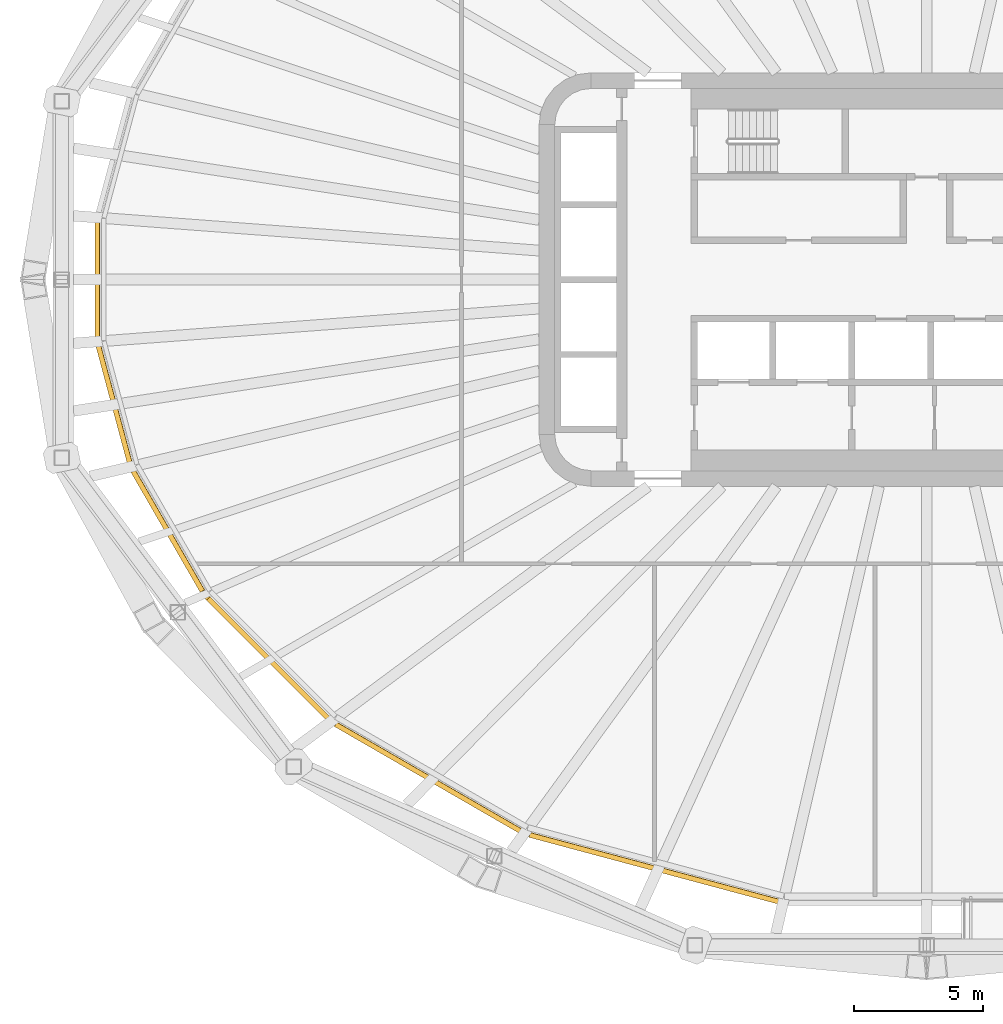
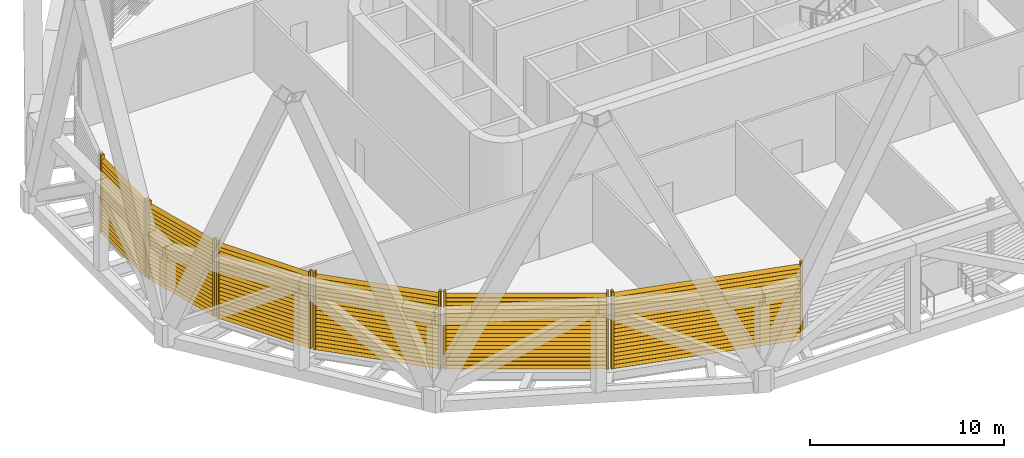
# One storey, part 12 of 18: 6 shading devices.
"""IFC4 building model written with IfcOpenShell, lengths in metres."""

from ifc_helpers import new_model, si_unit, direction, frame, origin, origin_2d, place, context, subcontext, project, spatial, rectangle, extrude, material, type_object, element, save


model = new_model("IFC4")

# Units and contexts
model_context = context("Model", 3, precision=1e-05, world=origin(), true_north=direction((0.0, 1.0)))
body_context = subcontext(model_context, "Body", "Model", "MODEL_VIEW")
ifc_project = project(units=[si_unit("LENGTHUNIT", "METRE"), si_unit("AREAUNIT", "SQUARE_METRE"), si_unit("VOLUMEUNIT", "CUBIC_METRE"), si_unit("PLANEANGLEUNIT", "RADIAN"), si_unit("MASSUNIT", "GRAM", prefix="KILO")], contexts=[model_context])

# Site, building, storey
site_placement = place(None, origin())
site = spatial("IfcSite", under=ifc_project, at=site_placement, CompositionType="ELEMENT")
building_placement = place(site_placement, origin())
building = spatial("IfcBuilding", under=site, at=building_placement, Name="Sahrelin Media Tower", CompositionType="ELEMENT")
storey_placement = place(building_placement, frame((0.0, 0.0, 96.60009765625)))
storey = spatial("IfcBuildingStorey", under=building, at=storey_placement, Name="L18", CompositionType="ELEMENT", Elevation=96.60009765625)

# Shading devices
ifc_material = material(Name="Champagne anodised aluminium 6063-T6", Category="aluminium")
shading_device_type = type_object("IfcShadingDeviceType", Name="Sand-rejection louvre band", PredefinedType="USERDEFINED", material=ifc_material)
shading_device_1_placement = place(storey_placement, frame((-31.994873046875, 0.0, 0.0), z_axis=(0.0, 0.0, 1.0), x_axis=(0.0, 1.0, 0.0)))
element("IfcShadingDevice", 1, at=shading_device_1_placement, inside=storey, type_object=shading_device_type, Name="L18:LOUVRE:L18-12", ObjectType="LOUVRE", PredefinedType="USERDEFINED", context=body_context, shape_type="SweptSolid", body=[
    extrude(rectangle(XDim=0.1201171875, YDim=0.199951171875, at=origin_2d()), frame((2.28125, 0.10009765625, 0.050048828125), z_axis=(0.0, 0.0, 1.0), x_axis=(1.0, 0.0, 0.0)), (0.0, 0.0, 1.0), 4.8984375),
    extrude(rectangle(XDim=0.1201171875, YDim=0.199951171875, at=origin_2d()), frame((-2.28125, 0.10009765625, 0.050048828125), z_axis=(0.0, 0.0, 1.0), x_axis=(1.0, 0.0, 0.0)), (0.0, 0.0, 1.0), 4.8984375),
    extrude(rectangle(XDim=0.25, YDim=0.02001953125, at=origin_2d()), frame((2.22119140625, 0.10009765625, 0.14990234375), z_axis=(-1.0, 0.0, 0.0), x_axis=(0.0, -0.766044443119, 0.642787609687)), (0.0, 0.0, 1.0), 4.4423828125),
    extrude(rectangle(XDim=0.25, YDim=0.02001953125, at=origin_2d()), frame((2.22119140625, 0.10009765625, 0.39990234375), z_axis=(-1.0, 0.0, 0.0), x_axis=(0.0, -0.766044443119, 0.642787609687)), (0.0, 0.0, 1.0), 4.4423828125),
    extrude(rectangle(XDim=0.25, YDim=0.02001953125, at=origin_2d()), frame((2.22119140625, 0.10009765625, 0.64990234375), z_axis=(-1.0, 0.0, 0.0), x_axis=(0.0, -0.766044443119, 0.642787609687)), (0.0, 0.0, 1.0), 4.4423828125),
    extrude(rectangle(XDim=0.25, YDim=0.02001953125, at=origin_2d()), frame((2.22119140625, 0.10009765625, 0.89990234375), z_axis=(-1.0, 0.0, 0.0), x_axis=(0.0, -0.766044443119, 0.642787609687)), (0.0, 0.0, 1.0), 4.4423828125),
    extrude(rectangle(XDim=0.25, YDim=0.02001953125, at=origin_2d()), frame((2.22119140625, 0.10009765625, 1.14990234375), z_axis=(-1.0, 0.0, 0.0), x_axis=(0.0, -0.766044443119, 0.642787609687)), (0.0, 0.0, 1.0), 4.4423828125),
    extrude(rectangle(XDim=0.25, YDim=0.02001953125, at=origin_2d()), frame((2.22119140625, 0.10009765625, 1.39990234375), z_axis=(-1.0, 0.0, 0.0), x_axis=(0.0, -0.766044443119, 0.642787609687)), (0.0, 0.0, 1.0), 4.4423828125),
    extrude(rectangle(XDim=0.25, YDim=0.02001953125, at=origin_2d()), frame((2.22119140625, 0.10009765625, 1.64990234375), z_axis=(-1.0, 0.0, 0.0), x_axis=(0.0, -0.766044443119, 0.642787609687)), (0.0, 0.0, 1.0), 4.4423828125),
    extrude(rectangle(XDim=0.25, YDim=0.02001953125, at=origin_2d()), frame((2.22119140625, 0.10009765625, 1.89990234375), z_axis=(-1.0, 0.0, 0.0), x_axis=(0.0, -0.766044443119, 0.642787609687)), (0.0, 0.0, 1.0), 4.4423828125),
    extrude(rectangle(XDim=0.25, YDim=0.02001953125, at=origin_2d()), frame((2.22119140625, 0.10009765625, 2.14990234375), z_axis=(-1.0, 0.0, 0.0), x_axis=(0.0, -0.766044443119, 0.642787609687)), (0.0, 0.0, 1.0), 4.4423828125),
    extrude(rectangle(XDim=0.25, YDim=0.02001953125, at=origin_2d()), frame((2.22119140625, 0.10009765625, 2.39990234375), z_axis=(-1.0, 0.0, 0.0), x_axis=(0.0, -0.766044443119, 0.642787609687)), (0.0, 0.0, 1.0), 4.4423828125),
    extrude(rectangle(XDim=0.25, YDim=0.02001953125, at=origin_2d()), frame((2.22119140625, 0.10009765625, 2.64990234375), z_axis=(-1.0, 0.0, 0.0), x_axis=(0.0, -0.766044443119, 0.642787609687)), (0.0, 0.0, 1.0), 4.4423828125),
    extrude(rectangle(XDim=0.25, YDim=0.02001953125, at=origin_2d()), frame((2.22119140625, 0.10009765625, 2.89990234375), z_axis=(-1.0, 0.0, 0.0), x_axis=(0.0, -0.766044443119, 0.642787609687)), (0.0, 0.0, 1.0), 4.4423828125),
    extrude(rectangle(XDim=0.25, YDim=0.02001953125, at=origin_2d()), frame((2.22119140625, 0.10009765625, 3.14990234375), z_axis=(-1.0, 0.0, 0.0), x_axis=(0.0, -0.766044443119, 0.642787609687)), (0.0, 0.0, 1.0), 4.4423828125),
    extrude(rectangle(XDim=0.25, YDim=0.02001953125, at=origin_2d()), frame((2.22119140625, 0.10009765625, 3.39990234375), z_axis=(-1.0, 0.0, 0.0), x_axis=(0.0, -0.766044443119, 0.642787609687)), (0.0, 0.0, 1.0), 4.4423828125),
    extrude(rectangle(XDim=0.25, YDim=0.02001953125, at=origin_2d()), frame((2.22119140625, 0.10009765625, 3.64990234375), z_axis=(-1.0, 0.0, 0.0), x_axis=(0.0, -0.766044443119, 0.642787609687)), (0.0, 0.0, 1.0), 4.4423828125),
    extrude(rectangle(XDim=0.25, YDim=0.02001953125, at=origin_2d()), frame((2.22119140625, 0.10009765625, 3.89990234375), z_axis=(-1.0, 0.0, 0.0), x_axis=(0.0, -0.766044443119, 0.642787609687)), (0.0, 0.0, 1.0), 4.4423828125),
    extrude(rectangle(XDim=0.25, YDim=0.02001953125, at=origin_2d()), frame((2.22119140625, 0.10009765625, 4.14990234375), z_axis=(-1.0, 0.0, 0.0), x_axis=(0.0, -0.766044443119, 0.642787609687)), (0.0, 0.0, 1.0), 4.4423828125),
    extrude(rectangle(XDim=0.25, YDim=0.02001953125, at=origin_2d()), frame((2.22119140625, 0.10009765625, 4.39990234375), z_axis=(-1.0, 0.0, 0.0), x_axis=(0.0, -0.766044443119, 0.642787609687)), (0.0, 0.0, 1.0), 4.4423828125),
    extrude(rectangle(XDim=0.25, YDim=0.02001953125, at=origin_2d()), frame((2.22119140625, 0.10009765625, 4.64990234375), z_axis=(-1.0, 0.0, 0.0), x_axis=(0.0, -0.766044443119, 0.642787609687)), (0.0, 0.0, 1.0), 4.4423828125),
])
shading_device_2_placement = place(storey_placement, frame((-31.34765625, -4.806884765625, 0.0), z_axis=(0.0, 0.0, 1.0), x_axis=(-0.258807731996, 0.965928857556, 0.0)))
element("IfcShadingDevice", 2, at=shading_device_2_placement, inside=storey, type_object=shading_device_type, Name="L18:LOUVRE:L18-13", ObjectType="LOUVRE", PredefinedType="USERDEFINED", context=body_context, shape_type="SweptSolid", body=[
    extrude(rectangle(XDim=0.1201171875, YDim=0.199951171875, at=origin_2d()), frame((2.390625, 0.10009765625, 0.050048828125), z_axis=(0.0, 0.0, 1.0), x_axis=(1.0, 0.0, 0.0)), (0.0, 0.0, 1.0), 4.8984375),
    extrude(rectangle(XDim=0.1201171875, YDim=0.199951171875, at=origin_2d()), frame((-2.390625, 0.10009765625, 0.050048828125), z_axis=(0.0, 0.0, 1.0), x_axis=(1.0, 0.0, 0.0)), (0.0, 0.0, 1.0), 4.8984375),
    extrude(rectangle(XDim=0.25, YDim=0.02001953125, at=origin_2d()), frame((2.330810546875, 0.10009765625, 0.14990234375), z_axis=(-1.0, 0.0, 0.0), x_axis=(0.0, -0.766044443119, 0.642787609687)), (0.0, 0.0, 1.0), 4.66162109375),
    extrude(rectangle(XDim=0.25, YDim=0.02001953125, at=origin_2d()), frame((2.330810546875, 0.10009765625, 0.39990234375), z_axis=(-1.0, 0.0, 0.0), x_axis=(0.0, -0.766044443119, 0.642787609687)), (0.0, 0.0, 1.0), 4.66162109375),
    extrude(rectangle(XDim=0.25, YDim=0.02001953125, at=origin_2d()), frame((2.330810546875, 0.10009765625, 0.64990234375), z_axis=(-1.0, 0.0, 0.0), x_axis=(0.0, -0.766044443119, 0.642787609687)), (0.0, 0.0, 1.0), 4.66162109375),
    extrude(rectangle(XDim=0.25, YDim=0.02001953125, at=origin_2d()), frame((2.330810546875, 0.10009765625, 0.89990234375), z_axis=(-1.0, 0.0, 0.0), x_axis=(0.0, -0.766044443119, 0.642787609687)), (0.0, 0.0, 1.0), 4.66162109375),
    extrude(rectangle(XDim=0.25, YDim=0.02001953125, at=origin_2d()), frame((2.330810546875, 0.10009765625, 1.14990234375), z_axis=(-1.0, 0.0, 0.0), x_axis=(0.0, -0.766044443119, 0.642787609687)), (0.0, 0.0, 1.0), 4.66162109375),
    extrude(rectangle(XDim=0.25, YDim=0.02001953125, at=origin_2d()), frame((2.330810546875, 0.10009765625, 1.39990234375), z_axis=(-1.0, 0.0, 0.0), x_axis=(0.0, -0.766044443119, 0.642787609687)), (0.0, 0.0, 1.0), 4.66162109375),
    extrude(rectangle(XDim=0.25, YDim=0.02001953125, at=origin_2d()), frame((2.330810546875, 0.10009765625, 1.64990234375), z_axis=(-1.0, 0.0, 0.0), x_axis=(0.0, -0.766044443119, 0.642787609687)), (0.0, 0.0, 1.0), 4.66162109375),
    extrude(rectangle(XDim=0.25, YDim=0.02001953125, at=origin_2d()), frame((2.330810546875, 0.10009765625, 1.89990234375), z_axis=(-1.0, 0.0, 0.0), x_axis=(0.0, -0.766044443119, 0.642787609687)), (0.0, 0.0, 1.0), 4.66162109375),
    extrude(rectangle(XDim=0.25, YDim=0.02001953125, at=origin_2d()), frame((2.330810546875, 0.10009765625, 2.14990234375), z_axis=(-1.0, 0.0, 0.0), x_axis=(0.0, -0.766044443119, 0.642787609687)), (0.0, 0.0, 1.0), 4.66162109375),
    extrude(rectangle(XDim=0.25, YDim=0.02001953125, at=origin_2d()), frame((2.330810546875, 0.10009765625, 2.39990234375), z_axis=(-1.0, 0.0, 0.0), x_axis=(0.0, -0.766044443119, 0.642787609687)), (0.0, 0.0, 1.0), 4.66162109375),
    extrude(rectangle(XDim=0.25, YDim=0.02001953125, at=origin_2d()), frame((2.330810546875, 0.10009765625, 2.64990234375), z_axis=(-1.0, 0.0, 0.0), x_axis=(0.0, -0.766044443119, 0.642787609687)), (0.0, 0.0, 1.0), 4.66162109375),
    extrude(rectangle(XDim=0.25, YDim=0.02001953125, at=origin_2d()), frame((2.330810546875, 0.10009765625, 2.89990234375), z_axis=(-1.0, 0.0, 0.0), x_axis=(0.0, -0.766044443119, 0.642787609687)), (0.0, 0.0, 1.0), 4.66162109375),
    extrude(rectangle(XDim=0.25, YDim=0.02001953125, at=origin_2d()), frame((2.330810546875, 0.10009765625, 3.14990234375), z_axis=(-1.0, 0.0, 0.0), x_axis=(0.0, -0.766044443119, 0.642787609687)), (0.0, 0.0, 1.0), 4.66162109375),
    extrude(rectangle(XDim=0.25, YDim=0.02001953125, at=origin_2d()), frame((2.330810546875, 0.10009765625, 3.39990234375), z_axis=(-1.0, 0.0, 0.0), x_axis=(0.0, -0.766044443119, 0.642787609687)), (0.0, 0.0, 1.0), 4.66162109375),
    extrude(rectangle(XDim=0.25, YDim=0.02001953125, at=origin_2d()), frame((2.330810546875, 0.10009765625, 3.64990234375), z_axis=(-1.0, 0.0, 0.0), x_axis=(0.0, -0.766044443119, 0.642787609687)), (0.0, 0.0, 1.0), 4.66162109375),
    extrude(rectangle(XDim=0.25, YDim=0.02001953125, at=origin_2d()), frame((2.330810546875, 0.10009765625, 3.89990234375), z_axis=(-1.0, 0.0, 0.0), x_axis=(0.0, -0.766044443119, 0.642787609687)), (0.0, 0.0, 1.0), 4.66162109375),
    extrude(rectangle(XDim=0.25, YDim=0.02001953125, at=origin_2d()), frame((2.330810546875, 0.10009765625, 4.14990234375), z_axis=(-1.0, 0.0, 0.0), x_axis=(0.0, -0.766044443119, 0.642787609687)), (0.0, 0.0, 1.0), 4.66162109375),
    extrude(rectangle(XDim=0.25, YDim=0.02001953125, at=origin_2d()), frame((2.330810546875, 0.10009765625, 4.39990234375), z_axis=(-1.0, 0.0, 0.0), x_axis=(0.0, -0.766044443119, 0.642787609687)), (0.0, 0.0, 1.0), 4.66162109375),
    extrude(rectangle(XDim=0.25, YDim=0.02001953125, at=origin_2d()), frame((2.330810546875, 0.10009765625, 4.64990234375), z_axis=(-1.0, 0.0, 0.0), x_axis=(0.0, -0.766044443119, 0.642787609687)), (0.0, 0.0, 1.0), 4.66162109375),
])
shading_device_3_placement = place(storey_placement, frame((-29.27783203125, -9.686279296875, 0.0), z_axis=(0.0, 0.0, 1.0), x_axis=(-0.500011000363, 0.866019052629, 0.0)))
element("IfcShadingDevice", 3, at=shading_device_3_placement, inside=storey, type_object=shading_device_type, Name="L18:LOUVRE:L18-14", ObjectType="LOUVRE", PredefinedType="USERDEFINED", context=body_context, shape_type="SweptSolid", body=[
    extrude(rectangle(XDim=0.1201171875, YDim=0.199951171875, at=origin_2d()), frame((2.7353515625, 0.10009765625, 0.050048828125), z_axis=(0.0, 0.0, 1.0), x_axis=(1.0, 0.0, 0.0)), (0.0, 0.0, 1.0), 4.8984375),
    extrude(rectangle(XDim=0.1201171875, YDim=0.199951171875, at=origin_2d()), frame((-2.7353515625, 0.10009765625, 0.050048828125), z_axis=(0.0, 0.0, 1.0), x_axis=(1.0, 0.0, 0.0)), (0.0, 0.0, 1.0), 4.8984375),
    extrude(rectangle(XDim=0.25, YDim=0.02001953125, at=origin_2d()), frame((2.67529296875, 0.10009765625, 0.14990234375), z_axis=(-1.0, 0.0, 0.0), x_axis=(0.0, -0.766044443119, 0.642787609687)), (0.0, 0.0, 1.0), 5.3505859375),
    extrude(rectangle(XDim=0.25, YDim=0.02001953125, at=origin_2d()), frame((2.67529296875, 0.10009765625, 0.39990234375), z_axis=(-1.0, 0.0, 0.0), x_axis=(0.0, -0.766044443119, 0.642787609687)), (0.0, 0.0, 1.0), 5.3505859375),
    extrude(rectangle(XDim=0.25, YDim=0.02001953125, at=origin_2d()), frame((2.67529296875, 0.10009765625, 0.64990234375), z_axis=(-1.0, 0.0, 0.0), x_axis=(0.0, -0.766044443119, 0.642787609687)), (0.0, 0.0, 1.0), 5.3505859375),
    extrude(rectangle(XDim=0.25, YDim=0.02001953125, at=origin_2d()), frame((2.67529296875, 0.10009765625, 0.89990234375), z_axis=(-1.0, 0.0, 0.0), x_axis=(0.0, -0.766044443119, 0.642787609687)), (0.0, 0.0, 1.0), 5.3505859375),
    extrude(rectangle(XDim=0.25, YDim=0.02001953125, at=origin_2d()), frame((2.67529296875, 0.10009765625, 1.14990234375), z_axis=(-1.0, 0.0, 0.0), x_axis=(0.0, -0.766044443119, 0.642787609687)), (0.0, 0.0, 1.0), 5.3505859375),
    extrude(rectangle(XDim=0.25, YDim=0.02001953125, at=origin_2d()), frame((2.67529296875, 0.10009765625, 1.39990234375), z_axis=(-1.0, 0.0, 0.0), x_axis=(0.0, -0.766044443119, 0.642787609687)), (0.0, 0.0, 1.0), 5.3505859375),
    extrude(rectangle(XDim=0.25, YDim=0.02001953125, at=origin_2d()), frame((2.67529296875, 0.10009765625, 1.64990234375), z_axis=(-1.0, 0.0, 0.0), x_axis=(0.0, -0.766044443119, 0.642787609687)), (0.0, 0.0, 1.0), 5.3505859375),
    extrude(rectangle(XDim=0.25, YDim=0.02001953125, at=origin_2d()), frame((2.67529296875, 0.10009765625, 1.89990234375), z_axis=(-1.0, 0.0, 0.0), x_axis=(0.0, -0.766044443119, 0.642787609687)), (0.0, 0.0, 1.0), 5.3505859375),
    extrude(rectangle(XDim=0.25, YDim=0.02001953125, at=origin_2d()), frame((2.67529296875, 0.10009765625, 2.14990234375), z_axis=(-1.0, 0.0, 0.0), x_axis=(0.0, -0.766044443119, 0.642787609687)), (0.0, 0.0, 1.0), 5.3505859375),
    extrude(rectangle(XDim=0.25, YDim=0.02001953125, at=origin_2d()), frame((2.67529296875, 0.10009765625, 2.39990234375), z_axis=(-1.0, 0.0, 0.0), x_axis=(0.0, -0.766044443119, 0.642787609687)), (0.0, 0.0, 1.0), 5.3505859375),
    extrude(rectangle(XDim=0.25, YDim=0.02001953125, at=origin_2d()), frame((2.67529296875, 0.10009765625, 2.64990234375), z_axis=(-1.0, 0.0, 0.0), x_axis=(0.0, -0.766044443119, 0.642787609687)), (0.0, 0.0, 1.0), 5.3505859375),
    extrude(rectangle(XDim=0.25, YDim=0.02001953125, at=origin_2d()), frame((2.67529296875, 0.10009765625, 2.89990234375), z_axis=(-1.0, 0.0, 0.0), x_axis=(0.0, -0.766044443119, 0.642787609687)), (0.0, 0.0, 1.0), 5.3505859375),
    extrude(rectangle(XDim=0.25, YDim=0.02001953125, at=origin_2d()), frame((2.67529296875, 0.10009765625, 3.14990234375), z_axis=(-1.0, 0.0, 0.0), x_axis=(0.0, -0.766044443119, 0.642787609687)), (0.0, 0.0, 1.0), 5.3505859375),
    extrude(rectangle(XDim=0.25, YDim=0.02001953125, at=origin_2d()), frame((2.67529296875, 0.10009765625, 3.39990234375), z_axis=(-1.0, 0.0, 0.0), x_axis=(0.0, -0.766044443119, 0.642787609687)), (0.0, 0.0, 1.0), 5.3505859375),
    extrude(rectangle(XDim=0.25, YDim=0.02001953125, at=origin_2d()), frame((2.67529296875, 0.10009765625, 3.64990234375), z_axis=(-1.0, 0.0, 0.0), x_axis=(0.0, -0.766044443119, 0.642787609687)), (0.0, 0.0, 1.0), 5.3505859375),
    extrude(rectangle(XDim=0.25, YDim=0.02001953125, at=origin_2d()), frame((2.67529296875, 0.10009765625, 3.89990234375), z_axis=(-1.0, 0.0, 0.0), x_axis=(0.0, -0.766044443119, 0.642787609687)), (0.0, 0.0, 1.0), 5.3505859375),
    extrude(rectangle(XDim=0.25, YDim=0.02001953125, at=origin_2d()), frame((2.67529296875, 0.10009765625, 4.14990234375), z_axis=(-1.0, 0.0, 0.0), x_axis=(0.0, -0.766044443119, 0.642787609687)), (0.0, 0.0, 1.0), 5.3505859375),
    extrude(rectangle(XDim=0.25, YDim=0.02001953125, at=origin_2d()), frame((2.67529296875, 0.10009765625, 4.39990234375), z_axis=(-1.0, 0.0, 0.0), x_axis=(0.0, -0.766044443119, 0.642787609687)), (0.0, 0.0, 1.0), 5.3505859375),
    extrude(rectangle(XDim=0.25, YDim=0.02001953125, at=origin_2d()), frame((2.67529296875, 0.10009765625, 4.64990234375), z_axis=(-1.0, 0.0, 0.0), x_axis=(0.0, -0.766044443119, 0.642787609687)), (0.0, 0.0, 1.0), 5.3505859375),
])
shading_device_4_placement = place(storey_placement, frame((-25.411376953125, -14.594482421875, 0.0), z_axis=(0.0, 0.0, 1.0), x_axis=(-0.707106781187, 0.707106781187, 0.0)))
element("IfcShadingDevice", 4, at=shading_device_4_placement, inside=storey, type_object=shading_device_type, Name="L18:LOUVRE:L18-15", ObjectType="LOUVRE", PredefinedType="USERDEFINED", context=body_context, shape_type="SweptSolid", body=[
    extrude(rectangle(XDim=0.1201171875, YDim=0.199951171875, at=origin_2d()), frame((3.34619140625, 0.10009765625, 0.050048828125), z_axis=(0.0, 0.0, 1.0), x_axis=(1.0, 0.0, 0.0)), (0.0, 0.0, 1.0), 4.8984375),
    extrude(rectangle(XDim=0.1201171875, YDim=0.199951171875, at=origin_2d()), frame((-3.34619140625, 0.10009765625, 0.050048828125), z_axis=(0.0, 0.0, 1.0), x_axis=(1.0, 0.0, 0.0)), (0.0, 0.0, 1.0), 4.8984375),
    extrude(rectangle(XDim=0.25, YDim=0.02001953125, at=origin_2d()), frame((3.286376953125, 0.10009765625, 0.14990234375), z_axis=(-1.0, 0.0, 0.0), x_axis=(0.0, -0.766044443119, 0.642787609687)), (0.0, 0.0, 1.0), 6.57275390625),
    extrude(rectangle(XDim=0.25, YDim=0.02001953125, at=origin_2d()), frame((3.286376953125, 0.10009765625, 0.39990234375), z_axis=(-1.0, 0.0, 0.0), x_axis=(0.0, -0.766044443119, 0.642787609687)), (0.0, 0.0, 1.0), 6.57275390625),
    extrude(rectangle(XDim=0.25, YDim=0.02001953125, at=origin_2d()), frame((3.286376953125, 0.10009765625, 0.64990234375), z_axis=(-1.0, 0.0, 0.0), x_axis=(0.0, -0.766044443119, 0.642787609687)), (0.0, 0.0, 1.0), 6.57275390625),
    extrude(rectangle(XDim=0.25, YDim=0.02001953125, at=origin_2d()), frame((3.286376953125, 0.10009765625, 0.89990234375), z_axis=(-1.0, 0.0, 0.0), x_axis=(0.0, -0.766044443119, 0.642787609687)), (0.0, 0.0, 1.0), 6.57275390625),
    extrude(rectangle(XDim=0.25, YDim=0.02001953125, at=origin_2d()), frame((3.286376953125, 0.10009765625, 1.14990234375), z_axis=(-1.0, 0.0, 0.0), x_axis=(0.0, -0.766044443119, 0.642787609687)), (0.0, 0.0, 1.0), 6.57275390625),
    extrude(rectangle(XDim=0.25, YDim=0.02001953125, at=origin_2d()), frame((3.286376953125, 0.10009765625, 1.39990234375), z_axis=(-1.0, 0.0, 0.0), x_axis=(0.0, -0.766044443119, 0.642787609687)), (0.0, 0.0, 1.0), 6.57275390625),
    extrude(rectangle(XDim=0.25, YDim=0.02001953125, at=origin_2d()), frame((3.286376953125, 0.10009765625, 1.64990234375), z_axis=(-1.0, 0.0, 0.0), x_axis=(0.0, -0.766044443119, 0.642787609687)), (0.0, 0.0, 1.0), 6.57275390625),
    extrude(rectangle(XDim=0.25, YDim=0.02001953125, at=origin_2d()), frame((3.286376953125, 0.10009765625, 1.89990234375), z_axis=(-1.0, 0.0, 0.0), x_axis=(0.0, -0.766044443119, 0.642787609687)), (0.0, 0.0, 1.0), 6.57275390625),
    extrude(rectangle(XDim=0.25, YDim=0.02001953125, at=origin_2d()), frame((3.286376953125, 0.10009765625, 2.14990234375), z_axis=(-1.0, 0.0, 0.0), x_axis=(0.0, -0.766044443119, 0.642787609687)), (0.0, 0.0, 1.0), 6.57275390625),
    extrude(rectangle(XDim=0.25, YDim=0.02001953125, at=origin_2d()), frame((3.286376953125, 0.10009765625, 2.39990234375), z_axis=(-1.0, 0.0, 0.0), x_axis=(0.0, -0.766044443119, 0.642787609687)), (0.0, 0.0, 1.0), 6.57275390625),
    extrude(rectangle(XDim=0.25, YDim=0.02001953125, at=origin_2d()), frame((3.286376953125, 0.10009765625, 2.64990234375), z_axis=(-1.0, 0.0, 0.0), x_axis=(0.0, -0.766044443119, 0.642787609687)), (0.0, 0.0, 1.0), 6.57275390625),
    extrude(rectangle(XDim=0.25, YDim=0.02001953125, at=origin_2d()), frame((3.286376953125, 0.10009765625, 2.89990234375), z_axis=(-1.0, 0.0, 0.0), x_axis=(0.0, -0.766044443119, 0.642787609687)), (0.0, 0.0, 1.0), 6.57275390625),
    extrude(rectangle(XDim=0.25, YDim=0.02001953125, at=origin_2d()), frame((3.286376953125, 0.10009765625, 3.14990234375), z_axis=(-1.0, 0.0, 0.0), x_axis=(0.0, -0.766044443119, 0.642787609687)), (0.0, 0.0, 1.0), 6.57275390625),
    extrude(rectangle(XDim=0.25, YDim=0.02001953125, at=origin_2d()), frame((3.286376953125, 0.10009765625, 3.39990234375), z_axis=(-1.0, 0.0, 0.0), x_axis=(0.0, -0.766044443119, 0.642787609687)), (0.0, 0.0, 1.0), 6.57275390625),
    extrude(rectangle(XDim=0.25, YDim=0.02001953125, at=origin_2d()), frame((3.286376953125, 0.10009765625, 3.64990234375), z_axis=(-1.0, 0.0, 0.0), x_axis=(0.0, -0.766044443119, 0.642787609687)), (0.0, 0.0, 1.0), 6.57275390625),
    extrude(rectangle(XDim=0.25, YDim=0.02001953125, at=origin_2d()), frame((3.286376953125, 0.10009765625, 3.89990234375), z_axis=(-1.0, 0.0, 0.0), x_axis=(0.0, -0.766044443119, 0.642787609687)), (0.0, 0.0, 1.0), 6.57275390625),
    extrude(rectangle(XDim=0.25, YDim=0.02001953125, at=origin_2d()), frame((3.286376953125, 0.10009765625, 4.14990234375), z_axis=(-1.0, 0.0, 0.0), x_axis=(0.0, -0.766044443119, 0.642787609687)), (0.0, 0.0, 1.0), 6.57275390625),
    extrude(rectangle(XDim=0.25, YDim=0.02001953125, at=origin_2d()), frame((3.286376953125, 0.10009765625, 4.39990234375), z_axis=(-1.0, 0.0, 0.0), x_axis=(0.0, -0.766044443119, 0.642787609687)), (0.0, 0.0, 1.0), 6.57275390625),
    extrude(rectangle(XDim=0.25, YDim=0.02001953125, at=origin_2d()), frame((3.286376953125, 0.10009765625, 4.64990234375), z_axis=(-1.0, 0.0, 0.0), x_axis=(0.0, -0.766044443119, 0.642787609687)), (0.0, 0.0, 1.0), 6.57275390625),
])
shading_device_5_placement = place(storey_placement, frame((-19.237548828125, -19.191650390625, 0.0), z_axis=(0.0, 0.0, 1.0), x_axis=(-0.866019052629, 0.500011000363, 0.0)))
element("IfcShadingDevice", 5, at=shading_device_5_placement, inside=storey, type_object=shading_device_type, Name="L18:LOUVRE:L18-16", ObjectType="LOUVRE", PredefinedType="USERDEFINED", context=body_context, shape_type="SweptSolid", body=[
    extrude(rectangle(XDim=0.1201171875, YDim=0.199951171875, at=origin_2d()), frame((4.19677734375, 0.10009765625, 0.050048828125), z_axis=(0.0, 0.0, 1.0), x_axis=(1.0, 0.0, 0.0)), (0.0, 0.0, 1.0), 4.8984375),
    extrude(rectangle(XDim=0.1201171875, YDim=0.199951171875, at=origin_2d()), frame((-4.19677734375, 0.10009765625, 0.050048828125), z_axis=(0.0, 0.0, 1.0), x_axis=(1.0, 0.0, 0.0)), (0.0, 0.0, 1.0), 4.8984375),
    extrude(rectangle(XDim=0.25, YDim=0.02001953125, at=origin_2d()), frame((4.13671875, 0.10009765625, 0.14990234375), z_axis=(-1.0, 0.0, 0.0), x_axis=(0.0, -0.766044443119, 0.642787609687)), (0.0, 0.0, 1.0), 8.2734375),
    extrude(rectangle(XDim=0.25, YDim=0.02001953125, at=origin_2d()), frame((4.13671875, 0.10009765625, 0.39990234375), z_axis=(-1.0, 0.0, 0.0), x_axis=(0.0, -0.766044443119, 0.642787609687)), (0.0, 0.0, 1.0), 8.2734375),
    extrude(rectangle(XDim=0.25, YDim=0.02001953125, at=origin_2d()), frame((4.13671875, 0.10009765625, 0.64990234375), z_axis=(-1.0, 0.0, 0.0), x_axis=(0.0, -0.766044443119, 0.642787609687)), (0.0, 0.0, 1.0), 8.2734375),
    extrude(rectangle(XDim=0.25, YDim=0.02001953125, at=origin_2d()), frame((4.13671875, 0.10009765625, 0.89990234375), z_axis=(-1.0, 0.0, 0.0), x_axis=(0.0, -0.766044443119, 0.642787609687)), (0.0, 0.0, 1.0), 8.2734375),
    extrude(rectangle(XDim=0.25, YDim=0.02001953125, at=origin_2d()), frame((4.13671875, 0.10009765625, 1.14990234375), z_axis=(-1.0, 0.0, 0.0), x_axis=(0.0, -0.766044443119, 0.642787609687)), (0.0, 0.0, 1.0), 8.2734375),
    extrude(rectangle(XDim=0.25, YDim=0.02001953125, at=origin_2d()), frame((4.13671875, 0.10009765625, 1.39990234375), z_axis=(-1.0, 0.0, 0.0), x_axis=(0.0, -0.766044443119, 0.642787609687)), (0.0, 0.0, 1.0), 8.2734375),
    extrude(rectangle(XDim=0.25, YDim=0.02001953125, at=origin_2d()), frame((4.13671875, 0.10009765625, 1.64990234375), z_axis=(-1.0, 0.0, 0.0), x_axis=(0.0, -0.766044443119, 0.642787609687)), (0.0, 0.0, 1.0), 8.2734375),
    extrude(rectangle(XDim=0.25, YDim=0.02001953125, at=origin_2d()), frame((4.13671875, 0.10009765625, 1.89990234375), z_axis=(-1.0, 0.0, 0.0), x_axis=(0.0, -0.766044443119, 0.642787609687)), (0.0, 0.0, 1.0), 8.2734375),
    extrude(rectangle(XDim=0.25, YDim=0.02001953125, at=origin_2d()), frame((4.13671875, 0.10009765625, 2.14990234375), z_axis=(-1.0, 0.0, 0.0), x_axis=(0.0, -0.766044443119, 0.642787609687)), (0.0, 0.0, 1.0), 8.2734375),
    extrude(rectangle(XDim=0.25, YDim=0.02001953125, at=origin_2d()), frame((4.13671875, 0.10009765625, 2.39990234375), z_axis=(-1.0, 0.0, 0.0), x_axis=(0.0, -0.766044443119, 0.642787609687)), (0.0, 0.0, 1.0), 8.2734375),
    extrude(rectangle(XDim=0.25, YDim=0.02001953125, at=origin_2d()), frame((4.13671875, 0.10009765625, 2.64990234375), z_axis=(-1.0, 0.0, 0.0), x_axis=(0.0, -0.766044443119, 0.642787609687)), (0.0, 0.0, 1.0), 8.2734375),
    extrude(rectangle(XDim=0.25, YDim=0.02001953125, at=origin_2d()), frame((4.13671875, 0.10009765625, 2.89990234375), z_axis=(-1.0, 0.0, 0.0), x_axis=(0.0, -0.766044443119, 0.642787609687)), (0.0, 0.0, 1.0), 8.2734375),
    extrude(rectangle(XDim=0.25, YDim=0.02001953125, at=origin_2d()), frame((4.13671875, 0.10009765625, 3.14990234375), z_axis=(-1.0, 0.0, 0.0), x_axis=(0.0, -0.766044443119, 0.642787609687)), (0.0, 0.0, 1.0), 8.2734375),
    extrude(rectangle(XDim=0.25, YDim=0.02001953125, at=origin_2d()), frame((4.13671875, 0.10009765625, 3.39990234375), z_axis=(-1.0, 0.0, 0.0), x_axis=(0.0, -0.766044443119, 0.642787609687)), (0.0, 0.0, 1.0), 8.2734375),
    extrude(rectangle(XDim=0.25, YDim=0.02001953125, at=origin_2d()), frame((4.13671875, 0.10009765625, 3.64990234375), z_axis=(-1.0, 0.0, 0.0), x_axis=(0.0, -0.766044443119, 0.642787609687)), (0.0, 0.0, 1.0), 8.2734375),
    extrude(rectangle(XDim=0.25, YDim=0.02001953125, at=origin_2d()), frame((4.13671875, 0.10009765625, 3.89990234375), z_axis=(-1.0, 0.0, 0.0), x_axis=(0.0, -0.766044443119, 0.642787609687)), (0.0, 0.0, 1.0), 8.2734375),
    extrude(rectangle(XDim=0.25, YDim=0.02001953125, at=origin_2d()), frame((4.13671875, 0.10009765625, 4.14990234375), z_axis=(-1.0, 0.0, 0.0), x_axis=(0.0, -0.766044443119, 0.642787609687)), (0.0, 0.0, 1.0), 8.2734375),
    extrude(rectangle(XDim=0.25, YDim=0.02001953125, at=origin_2d()), frame((4.13671875, 0.10009765625, 4.39990234375), z_axis=(-1.0, 0.0, 0.0), x_axis=(0.0, -0.766044443119, 0.642787609687)), (0.0, 0.0, 1.0), 8.2734375),
    extrude(rectangle(XDim=0.25, YDim=0.02001953125, at=origin_2d()), frame((4.13671875, 0.10009765625, 4.64990234375), z_axis=(-1.0, 0.0, 0.0), x_axis=(0.0, -0.766044443119, 0.642787609687)), (0.0, 0.0, 1.0), 8.2734375),
])
shading_device_6_placement = place(storey_placement, frame((-10.523681640625, -22.6806640625, 0.0), z_axis=(0.0, 0.0, 1.0), x_axis=(-0.965928857556, 0.258807731996, 0.0)))
element("IfcShadingDevice", 6, at=shading_device_6_placement, inside=storey, type_object=shading_device_type, Name="L18:LOUVRE:L18-17", ObjectType="LOUVRE", PredefinedType="USERDEFINED", context=body_context, shape_type="SweptSolid", body=[
    extrude(rectangle(XDim=0.1201171875, YDim=0.199951171875, at=origin_2d()), frame((5.050048828125, 0.10009765625, 0.050048828125), z_axis=(0.0, 0.0, 1.0), x_axis=(1.0, 0.0, 0.0)), (0.0, 0.0, 1.0), 4.8984375),
    extrude(rectangle(XDim=0.1201171875, YDim=0.199951171875, at=origin_2d()), frame((-5.050048828125, 0.10009765625, 0.050048828125), z_axis=(0.0, 0.0, 1.0), x_axis=(1.0, 0.0, 0.0)), (0.0, 0.0, 1.0), 4.8984375),
    extrude(rectangle(XDim=0.25, YDim=0.02001953125, at=origin_2d()), frame((4.989990234375, 0.10009765625, 0.14990234375), z_axis=(-1.0, 0.0, 0.0), x_axis=(0.0, -0.766044443119, 0.642787609687)), (0.0, 0.0, 1.0), 9.97998046875),
    extrude(rectangle(XDim=0.25, YDim=0.02001953125, at=origin_2d()), frame((4.989990234375, 0.10009765625, 0.39990234375), z_axis=(-1.0, 0.0, 0.0), x_axis=(0.0, -0.766044443119, 0.642787609687)), (0.0, 0.0, 1.0), 9.97998046875),
    extrude(rectangle(XDim=0.25, YDim=0.02001953125, at=origin_2d()), frame((4.989990234375, 0.10009765625, 0.64990234375), z_axis=(-1.0, 0.0, 0.0), x_axis=(0.0, -0.766044443119, 0.642787609687)), (0.0, 0.0, 1.0), 9.97998046875),
    extrude(rectangle(XDim=0.25, YDim=0.02001953125, at=origin_2d()), frame((4.989990234375, 0.10009765625, 0.89990234375), z_axis=(-1.0, 0.0, 0.0), x_axis=(0.0, -0.766044443119, 0.642787609687)), (0.0, 0.0, 1.0), 9.97998046875),
    extrude(rectangle(XDim=0.25, YDim=0.02001953125, at=origin_2d()), frame((4.989990234375, 0.10009765625, 1.14990234375), z_axis=(-1.0, 0.0, 0.0), x_axis=(0.0, -0.766044443119, 0.642787609687)), (0.0, 0.0, 1.0), 9.97998046875),
    extrude(rectangle(XDim=0.25, YDim=0.02001953125, at=origin_2d()), frame((4.989990234375, 0.10009765625, 1.39990234375), z_axis=(-1.0, 0.0, 0.0), x_axis=(0.0, -0.766044443119, 0.642787609687)), (0.0, 0.0, 1.0), 9.97998046875),
    extrude(rectangle(XDim=0.25, YDim=0.02001953125, at=origin_2d()), frame((4.989990234375, 0.10009765625, 1.64990234375), z_axis=(-1.0, 0.0, 0.0), x_axis=(0.0, -0.766044443119, 0.642787609687)), (0.0, 0.0, 1.0), 9.97998046875),
    extrude(rectangle(XDim=0.25, YDim=0.02001953125, at=origin_2d()), frame((4.989990234375, 0.10009765625, 1.89990234375), z_axis=(-1.0, 0.0, 0.0), x_axis=(0.0, -0.766044443119, 0.642787609687)), (0.0, 0.0, 1.0), 9.97998046875),
    extrude(rectangle(XDim=0.25, YDim=0.02001953125, at=origin_2d()), frame((4.989990234375, 0.10009765625, 2.14990234375), z_axis=(-1.0, 0.0, 0.0), x_axis=(0.0, -0.766044443119, 0.642787609687)), (0.0, 0.0, 1.0), 9.97998046875),
    extrude(rectangle(XDim=0.25, YDim=0.02001953125, at=origin_2d()), frame((4.989990234375, 0.10009765625, 2.39990234375), z_axis=(-1.0, 0.0, 0.0), x_axis=(0.0, -0.766044443119, 0.642787609687)), (0.0, 0.0, 1.0), 9.97998046875),
    extrude(rectangle(XDim=0.25, YDim=0.02001953125, at=origin_2d()), frame((4.989990234375, 0.10009765625, 2.64990234375), z_axis=(-1.0, 0.0, 0.0), x_axis=(0.0, -0.766044443119, 0.642787609687)), (0.0, 0.0, 1.0), 9.97998046875),
    extrude(rectangle(XDim=0.25, YDim=0.02001953125, at=origin_2d()), frame((4.989990234375, 0.10009765625, 2.89990234375), z_axis=(-1.0, 0.0, 0.0), x_axis=(0.0, -0.766044443119, 0.642787609687)), (0.0, 0.0, 1.0), 9.97998046875),
    extrude(rectangle(XDim=0.25, YDim=0.02001953125, at=origin_2d()), frame((4.989990234375, 0.10009765625, 3.14990234375), z_axis=(-1.0, 0.0, 0.0), x_axis=(0.0, -0.766044443119, 0.642787609687)), (0.0, 0.0, 1.0), 9.97998046875),
    extrude(rectangle(XDim=0.25, YDim=0.02001953125, at=origin_2d()), frame((4.989990234375, 0.10009765625, 3.39990234375), z_axis=(-1.0, 0.0, 0.0), x_axis=(0.0, -0.766044443119, 0.642787609687)), (0.0, 0.0, 1.0), 9.97998046875),
    extrude(rectangle(XDim=0.25, YDim=0.02001953125, at=origin_2d()), frame((4.989990234375, 0.10009765625, 3.64990234375), z_axis=(-1.0, 0.0, 0.0), x_axis=(0.0, -0.766044443119, 0.642787609687)), (0.0, 0.0, 1.0), 9.97998046875),
    extrude(rectangle(XDim=0.25, YDim=0.02001953125, at=origin_2d()), frame((4.989990234375, 0.10009765625, 3.89990234375), z_axis=(-1.0, 0.0, 0.0), x_axis=(0.0, -0.766044443119, 0.642787609687)), (0.0, 0.0, 1.0), 9.97998046875),
    extrude(rectangle(XDim=0.25, YDim=0.02001953125, at=origin_2d()), frame((4.989990234375, 0.10009765625, 4.14990234375), z_axis=(-1.0, 0.0, 0.0), x_axis=(0.0, -0.766044443119, 0.642787609687)), (0.0, 0.0, 1.0), 9.97998046875),
    extrude(rectangle(XDim=0.25, YDim=0.02001953125, at=origin_2d()), frame((4.989990234375, 0.10009765625, 4.39990234375), z_axis=(-1.0, 0.0, 0.0), x_axis=(0.0, -0.766044443119, 0.642787609687)), (0.0, 0.0, 1.0), 9.97998046875),
    extrude(rectangle(XDim=0.25, YDim=0.02001953125, at=origin_2d()), frame((4.989990234375, 0.10009765625, 4.64990234375), z_axis=(-1.0, 0.0, 0.0), x_axis=(0.0, -0.766044443119, 0.642787609687)), (0.0, 0.0, 1.0), 9.97998046875),
])

save(model, "model.ifc")
